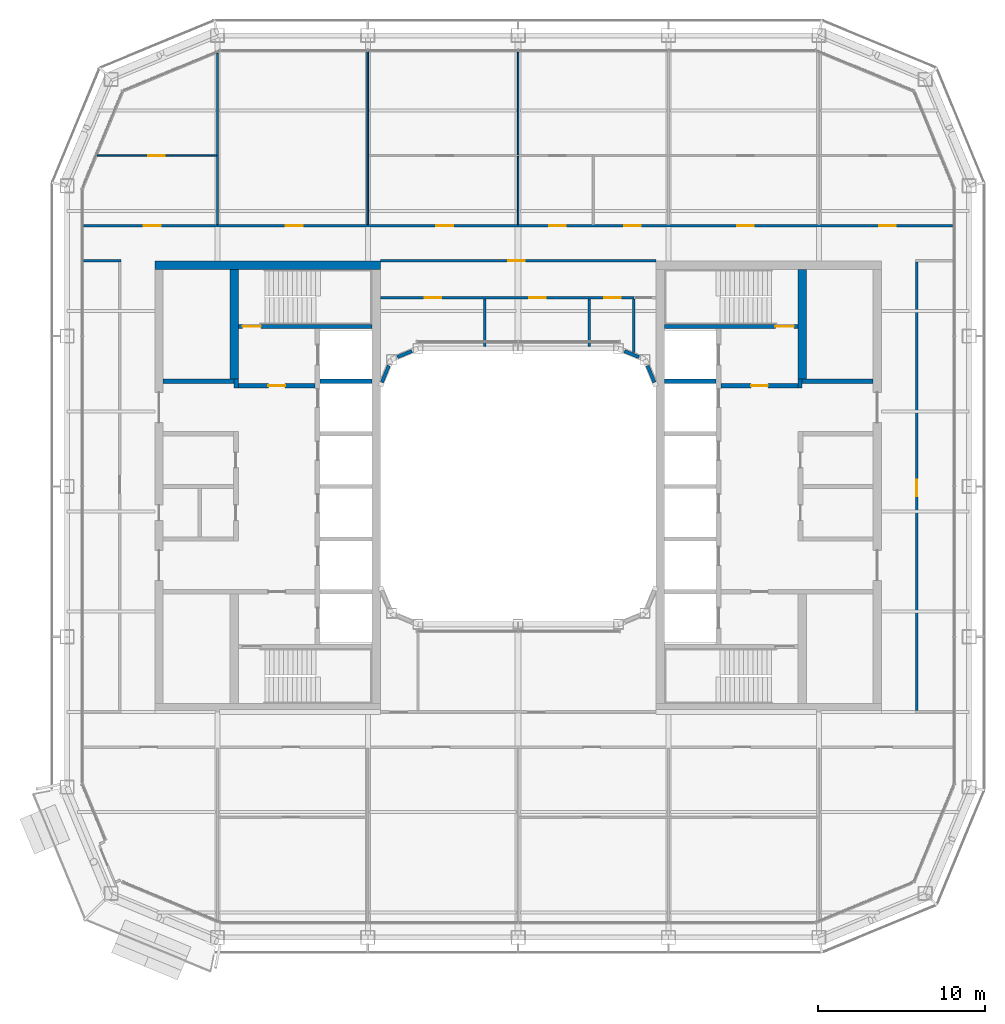
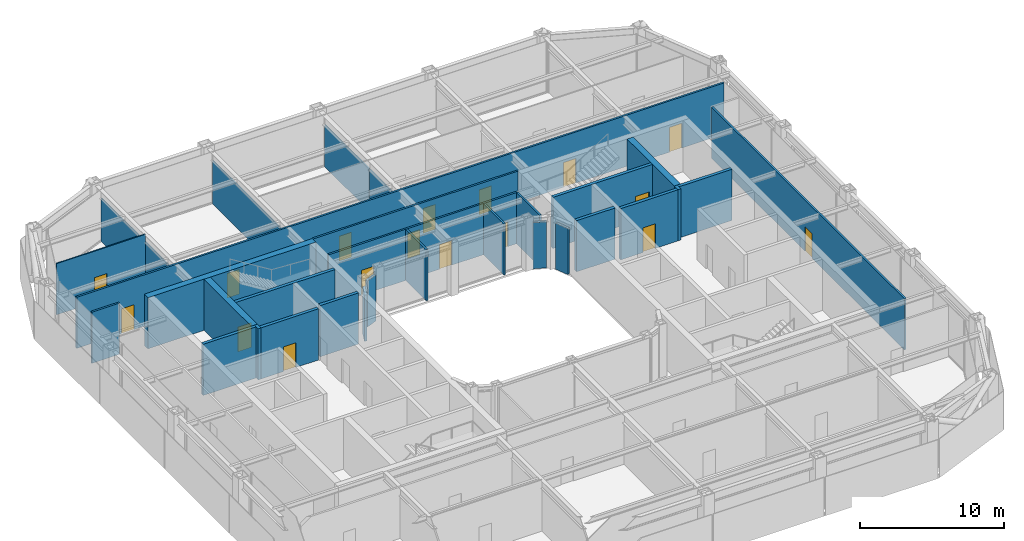
# One storey, part 15 of 23: 30 walls, 17 doors, 17 openings.
"""IFC4 building model written with IfcOpenShell, lengths in metres."""

from ifc_helpers import new_model, si_unit, direction, frame, frame_2d, origin, place, context, subcontext, project, spatial, rectangle, extrude, material, layer, layer_set, type_object, element, fill, save


model = new_model("IFC4")

# Units and contexts
model_context = context("Model", 3, precision=1e-05, world=origin(), true_north=direction((0.0, 1.0)))
body_context = subcontext(model_context, "Body", "Model", "MODEL_VIEW")
ifc_project = project(units=[si_unit("LENGTHUNIT", "METRE"), si_unit("AREAUNIT", "SQUARE_METRE"), si_unit("VOLUMEUNIT", "CUBIC_METRE"), si_unit("PLANEANGLEUNIT", "RADIAN"), si_unit("MASSUNIT", "GRAM", prefix="KILO")], contexts=[model_context])

# Site, building, storey
site_placement = place(None, origin())
site = spatial("IfcSite", under=ifc_project, at=site_placement, CompositionType="ELEMENT")
building_placement = place(site_placement, origin())
building = spatial("IfcBuilding", under=site, at=building_placement, Name="Siwar Civic Tower", CompositionType="ELEMENT")
storey_placement = place(building_placement, frame((0.0, 0.0, 197.199951171875)))
storey = spatial("IfcBuildingStorey", under=building, at=storey_placement, Name="L42", CompositionType="ELEMENT", Elevation=197.199951171875)

# Wall
ifc_material_1 = material(Name="Gypsum board on steel studs", Category="steel")
ifc_layer_1 = layer(ifc_material_1, 0.14990234375)
ifc_layer_set_1 = layer_set([ifc_layer_1], Name="Gypsum board on steel studs")
wall_type_1 = type_object("IfcWallType", Name="COMPARTMENT PARTITION 150 EI 60", PredefinedType="PARTITIONING", material=ifc_layer_set_1)
wall_1_placement = place(storey_placement, frame((6.919921875, 8.029052734375, 0.0), z_axis=(0.0, 0.0, 1.0), x_axis=(0.0, 1.0, 0.0)))
element("IfcWall", 1, at=wall_1_placement, inside=storey, type_object=wall_type_1, Name="L42/wall/P27", PredefinedType="PARTITIONING", context=body_context, shape_type="SweptSolid", body=[
    extrude(rectangle(XDim=3.196044921875, YDim=0.14990234375, at=frame_2d((1.59814453125, 0.0))), origin(), (0.0, 0.0, 1.0), 4.35009765625),
])

# Wall, opening, door
ifc_material_2 = material(Name="Concrete C60/75", Category="concrete")
ifc_layer_2 = layer(ifc_material_2, 0.25)
ifc_layer_set_2 = layer_set([ifc_layer_2], Name="Concrete C60/75")
wall_type_2 = type_object("IfcWallType", Name="CORE-WALL-RC250", PredefinedType="SHEAR", material=ifc_layer_set_2)
wall_2_placement = place(storey_placement, frame((-12.14990234375, 6.02490234375, 0.0), z_axis=(0.0, 0.0, 1.0), x_axis=(-1.0, 0.0, 0.0)))
wall_2 = element("IfcWall", 2, at=wall_2_placement, inside=storey, type_object=wall_type_2, Name="Core wall W", PredefinedType="SHEAR", context=body_context, shape_type="SweptSolid", body=[
    extrude(rectangle(XDim=4.60009765625, YDim=0.25, at=frame_2d((2.300048828125, 0.0))), origin(), (0.0, 0.0, 1.0), 4.35009765625),
])
opening_1_placement = place(wall_2_placement, frame((1.800048828125, 0.0, 0.0)))
opening_1 = element("IfcOpeningElement", 3, at=opening_1_placement, cuts=wall_2, Name="Opening L42-CW01", PredefinedType="OPENING", context=body_context, shape_type="SweptSolid", body=[
    extrude(rectangle(XDim=1.0, YDim=2.10009765625, at=frame_2d((0.5, 1.050048828125))), frame((0.0, 0.135009765625, 0.0), z_axis=(0.0, -1.0, 0.0), x_axis=(1.0, 0.0, 0.0)), (0.0, 0.0, 1.0), 0.27001953125),
])
ifc_material_3 = material(Name="Steel door leaf", Category="steel")
door_type_1 = type_object("IfcDoorType", Name="CORE-DOOR-FD30S", OperationType="SINGLE_SWING_LEFT", PredefinedType="DOOR", material=ifc_material_3)
door_1_placement = place(opening_1_placement, origin())
door_1 = element("IfcDoor", 4, at=door_1_placement, inside=storey, type_object=door_type_1, Name="Firefighting lobby door L42-CW01", OperationType="SINGLE_SWING_LEFT", OverallHeight=2.10009765625, OverallWidth=1.0, PredefinedType="DOOR", context=body_context, shape_type="SweptSolid", body=[
    extrude(rectangle(XDim=1.0, YDim=2.10009765625, at=frame_2d((0.5, 1.050048828125))), frame((0.0, 0.02490234375, 0.0), z_axis=(0.0, -1.0, 0.0), x_axis=(1.0, 0.0, 0.0)), (0.0, 0.0, 1.0), 0.050048828125),
])
fill(opening_1, door_1)

# Walls
wall_3_placement = place(storey_placement, frame((-16.875, 5.89990234375, 0.0), z_axis=(0.0, 0.0, 1.0), x_axis=(0.0, 1.0, 0.0)))
element("IfcWall", 5, at=wall_3_placement, inside=storey, type_object=wall_type_2, Name="Core wall W", PredefinedType="SHEAR", context=body_context, shape_type="SweptSolid", body=[
    extrude(rectangle(XDim=0.525146484375, YDim=0.25, at=frame_2d((0.2626953125, 0.0))), origin(), (0.0, 0.0, 1.0), 4.35009765625),
])
wall_4_placement = place(storey_placement, frame((-17.0, 6.300048828125, 0.0), z_axis=(0.0, 0.0, 1.0), x_axis=(-1.0, 0.0, 0.0)))
element("IfcWall", 6, at=wall_4_placement, inside=storey, type_object=wall_type_2, Name="Core wall W", PredefinedType="SHEAR", context=body_context, shape_type="SweptSolid", body=[
    extrude(rectangle(XDim=4.25, YDim=0.25, at=frame_2d((2.125, 0.0))), origin(), (0.0, 0.0, 1.0), 4.35009765625),
])
wall_5_placement = place(storey_placement, frame((-8.75, 6.300048828125, 0.0), z_axis=(0.0, 0.0, 1.0), x_axis=(-1.0, 0.0, 0.0)))
element("IfcWall", 7, at=wall_5_placement, inside=storey, type_object=wall_type_2, Name="Core wall W", PredefinedType="SHEAR", context=body_context, shape_type="SweptSolid", body=[
    extrude(rectangle(XDim=3.10009765625, YDim=0.25, at=frame_2d((1.550048828125, 0.0))), origin(), (0.0, 0.0, 1.0), 4.35009765625),
])

# Wall, opening, door
wall_6_placement = place(storey_placement, frame((-8.75, 9.574951171875, 0.0), z_axis=(0.0, 0.0, 1.0), x_axis=(-1.0, 0.0, 0.0)))
wall_6 = element("IfcWall", 8, at=wall_6_placement, inside=storey, type_object=wall_type_2, Name="Core wall W", PredefinedType="SHEAR", context=body_context, shape_type="SweptSolid", body=[
    extrude(rectangle(XDim=8.0, YDim=0.25, at=frame_2d((4.0, 0.0))), origin(), (0.0, 0.0, 1.0), 4.35009765625),
])
opening_2_placement = place(wall_6_placement, frame((6.64990234375, 0.0, 0.0)))
opening_2 = element("IfcOpeningElement", 9, at=opening_2_placement, cuts=wall_6, Name="Opening L42-CW03", PredefinedType="OPENING", context=body_context, shape_type="SweptSolid", body=[
    extrude(rectangle(XDim=1.10009765625, YDim=2.10009765625, at=frame_2d((0.550048828125, 1.050048828125))), frame((0.0, 0.135009765625, 0.0), z_axis=(0.0, -1.0, 0.0), x_axis=(1.0, 0.0, 0.0)), (0.0, 0.0, 1.0), 0.27001953125),
])
ifc_material_4 = material(Name="Steel door leaf", Category="steel")
door_type_2 = type_object("IfcDoorType", Name="CORE-DOOR-FD60S", OperationType="SINGLE_SWING_LEFT", PredefinedType="DOOR", material=ifc_material_4)
door_2_placement = place(opening_2_placement, origin())
door_2 = element("IfcDoor", 10, at=door_2_placement, inside=storey, type_object=door_type_2, Name="Stair door L42-CW03", OperationType="SINGLE_SWING_RIGHT", OverallHeight=2.10009765625, OverallWidth=1.10009765625, PredefinedType="DOOR", context=body_context, shape_type="SweptSolid", body=[
    extrude(rectangle(XDim=1.10009765625, YDim=2.10009765625, at=frame_2d((0.550048828125, 1.050048828125))), frame((0.0, 0.02490234375, 0.0), z_axis=(0.0, -1.0, 0.0), x_axis=(1.0, 0.0, 0.0)), (0.0, 0.0, 1.0), 0.050048828125),
])
fill(opening_2, door_2)

wall_7_placement = place(storey_placement, frame((12.14990234375, 6.02490234375, 0.0), z_axis=(0.0, 0.0, 1.0), x_axis=(1.0, 0.0, 0.0)))
wall_7 = element("IfcWall", 11, at=wall_7_placement, inside=storey, type_object=wall_type_2, Name="Core wall E", PredefinedType="SHEAR", context=body_context, shape_type="SweptSolid", body=[
    extrude(rectangle(XDim=4.60009765625, YDim=0.25, at=frame_2d((2.300048828125, 0.0))), origin(), (0.0, 0.0, 1.0), 4.35009765625),
])
opening_3_placement = place(wall_7_placement, frame((1.800048828125, 0.0, 0.0)))
opening_3 = element("IfcOpeningElement", 12, at=opening_3_placement, cuts=wall_7, Name="Opening L42-CE01", PredefinedType="OPENING", context=body_context, shape_type="SweptSolid", body=[
    extrude(rectangle(XDim=1.0, YDim=2.10009765625, at=frame_2d((0.5, 1.050048828125))), frame((0.0, 0.135009765625, 0.0), z_axis=(0.0, -1.0, 0.0), x_axis=(1.0, 0.0, 0.0)), (0.0, 0.0, 1.0), 0.27001953125),
])
door_3_placement = place(opening_3_placement, origin())
door_3 = element("IfcDoor", 13, at=door_3_placement, inside=storey, type_object=door_type_1, Name="Firefighting lobby door L42-CE01", OperationType="SINGLE_SWING_RIGHT", OverallHeight=2.10009765625, OverallWidth=1.0, PredefinedType="DOOR", context=body_context, shape_type="SweptSolid", body=[
    extrude(rectangle(XDim=1.0, YDim=2.10009765625, at=frame_2d((0.5, 1.050048828125))), frame((0.0, 0.02490234375, 0.0), z_axis=(0.0, -1.0, 0.0), x_axis=(1.0, 0.0, 0.0)), (0.0, 0.0, 1.0), 0.050048828125),
])
fill(opening_3, door_3)

# Walls
wall_8_placement = place(storey_placement, frame((16.875, 5.89990234375, 0.0), z_axis=(0.0, 0.0, 1.0), x_axis=(0.0, 1.0, 0.0)))
element("IfcWall", 14, at=wall_8_placement, inside=storey, type_object=wall_type_2, Name="Core wall E", PredefinedType="SHEAR", context=body_context, shape_type="SweptSolid", body=[
    extrude(rectangle(XDim=0.525146484375, YDim=0.25, at=frame_2d((0.2626953125, 0.0))), origin(), (0.0, 0.0, 1.0), 4.35009765625),
])
wall_9_placement = place(storey_placement, frame((17.0, 6.300048828125, 0.0), z_axis=(0.0, 0.0, 1.0), x_axis=(1.0, 0.0, 0.0)))
element("IfcWall", 15, at=wall_9_placement, inside=storey, type_object=wall_type_2, Name="Core wall E", PredefinedType="SHEAR", context=body_context, shape_type="SweptSolid", body=[
    extrude(rectangle(XDim=4.25, YDim=0.25, at=frame_2d((2.125, 0.0))), origin(), (0.0, 0.0, 1.0), 4.35009765625),
])
wall_10_placement = place(storey_placement, frame((8.75, 6.300048828125, 0.0), z_axis=(0.0, 0.0, 1.0), x_axis=(1.0, 0.0, 0.0)))
element("IfcWall", 16, at=wall_10_placement, inside=storey, type_object=wall_type_2, Name="Core wall E", PredefinedType="SHEAR", context=body_context, shape_type="SweptSolid", body=[
    extrude(rectangle(XDim=3.10009765625, YDim=0.25, at=frame_2d((1.550048828125, 0.0))), origin(), (0.0, 0.0, 1.0), 4.35009765625),
])

# Wall, opening, door
wall_11_placement = place(storey_placement, frame((8.75, 9.574951171875, 0.0), z_axis=(0.0, 0.0, 1.0), x_axis=(1.0, 0.0, 0.0)))
wall_11 = element("IfcWall", 17, at=wall_11_placement, inside=storey, type_object=wall_type_2, Name="Core wall E", PredefinedType="SHEAR", context=body_context, shape_type="SweptSolid", body=[
    extrude(rectangle(XDim=8.0, YDim=0.25, at=frame_2d((4.0, 0.0))), origin(), (0.0, 0.0, 1.0), 4.35009765625),
])
opening_4_placement = place(wall_11_placement, frame((6.64990234375, 0.0, 0.0)))
opening_4 = element("IfcOpeningElement", 18, at=opening_4_placement, cuts=wall_11, Name="Opening L42-CE03", PredefinedType="OPENING", context=body_context, shape_type="SweptSolid", body=[
    extrude(rectangle(XDim=1.10009765625, YDim=2.10009765625, at=frame_2d((0.550048828125, 1.050048828125))), frame((0.0, 0.135009765625, 0.0), z_axis=(0.0, -1.0, 0.0), x_axis=(1.0, 0.0, 0.0)), (0.0, 0.0, 1.0), 0.27001953125),
])
door_4_placement = place(opening_4_placement, origin())
door_4 = element("IfcDoor", 19, at=door_4_placement, inside=storey, type_object=door_type_2, Name="Stair door L42-CE03", OperationType="SINGLE_SWING_LEFT", OverallHeight=2.10009765625, OverallWidth=1.10009765625, PredefinedType="DOOR", context=body_context, shape_type="SweptSolid", body=[
    extrude(rectangle(XDim=1.10009765625, YDim=2.10009765625, at=frame_2d((0.550048828125, 1.050048828125))), frame((0.0, 0.02490234375, 0.0), z_axis=(0.0, -1.0, 0.0), x_axis=(1.0, 0.0, 0.0)), (0.0, 0.0, 1.0), 0.050048828125),
])
fill(opening_4, door_4)

# Walls
ifc_material_5 = material(Name="Concrete C60/75", Category="concrete")
ifc_layer_3 = layer(ifc_material_5, 0.5)
ifc_layer_set_3 = layer_set([ifc_layer_3], Name="Concrete C60/75")
wall_type_3 = type_object("IfcWallType", Name="CORE-WALL-RC500", PredefinedType="SHEAR", material=ifc_layer_set_3)
wall_12_placement = place(storey_placement, frame((-17.0, 6.425048828125, 0.0), z_axis=(0.0, 0.0, 1.0), x_axis=(0.0, 1.0, 0.0)))
element("IfcWall", 20, at=wall_12_placement, inside=storey, type_object=wall_type_3, Name="Core wall W", PredefinedType="SHEAR", context=body_context, shape_type="SweptSolid", body=[
    extrude(rectangle(XDim=6.574951171875, YDim=0.5, at=frame_2d((3.28759765625, 0.0))), origin(), (0.0, 0.0, 1.0), 4.35009765625),
])
wall_13_placement = place(storey_placement, frame((-8.25, 13.25, 0.0), z_axis=(0.0, 0.0, 1.0), x_axis=(-1.0, 0.0, 0.0)))
element("IfcWall", 21, at=wall_13_placement, inside=storey, type_object=wall_type_3, Name="Core wall W", PredefinedType="SHEAR", context=body_context, shape_type="SweptSolid", body=[
    extrude(rectangle(XDim=13.5, YDim=0.5, at=frame_2d((6.75, 0.0))), origin(), (0.0, 0.0, 1.0), 4.35009765625),
])
wall_14_placement = place(storey_placement, frame((17.0, 6.425048828125, 0.0), z_axis=(0.0, 0.0, 1.0), x_axis=(0.0, 1.0, 0.0)))
element("IfcWall", 22, at=wall_14_placement, inside=storey, type_object=wall_type_3, Name="Core wall E", PredefinedType="SHEAR", context=body_context, shape_type="SweptSolid", body=[
    extrude(rectangle(XDim=6.574951171875, YDim=0.5, at=frame_2d((3.28759765625, 0.0))), origin(), (0.0, 0.0, 1.0), 4.35009765625),
])

# Wall, openings, doors
ifc_material_6 = material(Name="Gypsum board on steel studs", Category="steel")
ifc_layer_4 = layer(ifc_material_6, 0.14990234375)
ifc_layer_set_4 = layer_set([ifc_layer_4], Name="Gypsum board on steel studs")
wall_type_4 = type_object("IfcWallType", Name="CORRIDOR PARTITION 150 EI 30", PredefinedType="PARTITIONING", material=ifc_layer_set_4)
wall_15_placement = place(storey_placement, frame((-8.25, 11.300048828125, 0.0), z_axis=(0.0, 0.0, 1.0), x_axis=(1.0, 0.0, 0.0)))
wall_15 = element("IfcWall", 23, at=wall_15_placement, inside=storey, type_object=wall_type_4, Name="L42/wall/P07", PredefinedType="PARTITIONING", context=body_context, shape_type="SweptSolid", body=[
    extrude(rectangle(XDim=15.169921875, YDim=0.14990234375, at=frame_2d((7.5849609375, 0.0))), origin(), (0.0, 0.0, 1.0), 4.35009765625),
])
opening_5_placement = place(wall_15_placement, frame((2.64990234375, 0.0, 0.0)))
opening_5 = element("IfcOpeningElement", 24, at=opening_5_placement, cuts=wall_15, Name="Opening D3", PredefinedType="OPENING", context=body_context, shape_type="SweptSolid", body=[
    extrude(rectangle(XDim=1.0, YDim=2.10009765625, at=frame_2d((0.5, 1.050048828125))), frame((0.0, 0.0849609375, 0.0), z_axis=(0.0, -1.0, 0.0), x_axis=(1.0, 0.0, 0.0)), (0.0, 0.0, 1.0), 0.169921875),
])
opening_6_placement = place(wall_15_placement, frame((8.89990234375, 0.0, 0.0)))
opening_6 = element("IfcOpeningElement", 25, at=opening_6_placement, cuts=wall_15, Name="Opening D3", PredefinedType="OPENING", context=body_context, shape_type="SweptSolid", body=[
    extrude(rectangle(XDim=1.0, YDim=2.10009765625, at=frame_2d((0.5, 1.050048828125))), frame((0.0, 0.0849609375, 0.0), z_axis=(0.0, -1.0, 0.0), x_axis=(1.0, 0.0, 0.0)), (0.0, 0.0, 1.0), 0.169921875),
])
opening_7_placement = place(wall_15_placement, frame((13.39990234375, 0.0, 0.0)))
opening_7 = element("IfcOpeningElement", 26, at=opening_7_placement, cuts=wall_15, Name="Opening D3", PredefinedType="OPENING", context=body_context, shape_type="SweptSolid", body=[
    extrude(rectangle(XDim=1.0, YDim=2.10009765625, at=frame_2d((0.5, 1.050048828125))), frame((0.0, 0.0849609375, 0.0), z_axis=(0.0, -1.0, 0.0), x_axis=(1.0, 0.0, 0.0)), (0.0, 0.0, 1.0), 0.169921875),
])
ifc_material_7 = material(Name="Timber, painted", Category="wood")
door_type_3 = type_object("IfcDoorType", Name="DOOR 1000 X 2100 WC", OperationType="SINGLE_SWING_LEFT", PredefinedType="DOOR", material=ifc_material_7)
door_5_placement = place(opening_5_placement, origin())
door_5 = element("IfcDoor", 27, at=door_5_placement, inside=storey, type_object=door_type_3, Name="L42-D25", OperationType="SINGLE_SWING_LEFT", OverallHeight=2.10009765625, OverallWidth=1.0, PredefinedType="DOOR", context=body_context, shape_type="SweptSolid", body=[
    extrude(rectangle(XDim=1.0, YDim=2.10009765625, at=frame_2d((0.5, 1.050048828125))), frame((0.0, 0.02490234375, 0.0), z_axis=(0.0, -1.0, 0.0), x_axis=(1.0, 0.0, 0.0)), (0.0, 0.0, 1.0), 0.050048828125),
])
fill(opening_5, door_5)
door_6_placement = place(opening_6_placement, origin())
door_6 = element("IfcDoor", 28, at=door_6_placement, inside=storey, type_object=door_type_3, Name="L42-D26", OperationType="SINGLE_SWING_RIGHT", OverallHeight=2.10009765625, OverallWidth=1.0, PredefinedType="DOOR", context=body_context, shape_type="SweptSolid", body=[
    extrude(rectangle(XDim=1.0, YDim=2.10009765625, at=frame_2d((0.5, 1.050048828125))), frame((0.0, 0.02490234375, 0.0), z_axis=(0.0, -1.0, 0.0), x_axis=(1.0, 0.0, 0.0)), (0.0, 0.0, 1.0), 0.050048828125),
])
fill(opening_6, door_6)
door_7_placement = place(opening_7_placement, origin())
door_7 = element("IfcDoor", 29, at=door_7_placement, inside=storey, type_object=door_type_3, Name="L42-D27", OperationType="SINGLE_SWING_LEFT", OverallHeight=2.10009765625, OverallWidth=1.0, PredefinedType="DOOR", context=body_context, shape_type="SweptSolid", body=[
    extrude(rectangle(XDim=1.0, YDim=2.10009765625, at=frame_2d((0.5, 1.050048828125))), frame((0.0, 0.02490234375, 0.0), z_axis=(0.0, -1.0, 0.0), x_axis=(1.0, 0.0, 0.0)), (0.0, 0.0, 1.0), 0.050048828125),
])
fill(opening_7, door_7)

# Wall
wall_16_placement = place(storey_placement, frame((-26.010009765625, 13.5, 0.0), z_axis=(0.0, 0.0, 1.0), x_axis=(1.0, 0.0, 0.0)))
element("IfcWall", 30, at=wall_16_placement, inside=storey, type_object=wall_type_4, Name="L42/wall/P09", PredefinedType="PARTITIONING", context=body_context, shape_type="SweptSolid", body=[
    extrude(rectangle(XDim=2.235107421875, YDim=0.14990234375, at=frame_2d((1.11767578125, 0.0))), origin(), (0.0, 0.0, 1.0), 4.35009765625),
])

# Wall, opening, door
wall_17_placement = place(storey_placement, frame((-8.25, 13.5, 0.0), z_axis=(0.0, 0.0, 1.0), x_axis=(1.0, 0.0, 0.0)))
wall_17 = element("IfcWall", 31, at=wall_17_placement, inside=storey, type_object=wall_type_4, Name="L42/wall/P10", PredefinedType="PARTITIONING", context=body_context, shape_type="SweptSolid", body=[
    extrude(rectangle(XDim=16.5, YDim=0.14990234375, at=frame_2d((8.25, 0.0))), origin(), (0.0, 0.0, 1.0), 4.35009765625),
])
opening_8_placement = place(wall_17_placement, frame((7.64990234375, 0.0, 0.0)))
opening_8 = element("IfcOpeningElement", 32, at=opening_8_placement, cuts=wall_17, Name="Opening D1", PredefinedType="OPENING", context=body_context, shape_type="SweptSolid", body=[
    extrude(rectangle(XDim=1.0, YDim=2.10009765625, at=frame_2d((0.5, 1.050048828125))), frame((0.0, 0.0849609375, 0.0), z_axis=(0.0, -1.0, 0.0), x_axis=(1.0, 0.0, 0.0)), (0.0, 0.0, 1.0), 0.169921875),
])
ifc_material_8 = material(Name="Timber, painted", Category="wood")
door_type_4 = type_object("IfcDoorType", Name="DOOR 1000 X 2100 FD30", OperationType="SINGLE_SWING_LEFT", PredefinedType="DOOR", material=ifc_material_8)
door_8_placement = place(opening_8_placement, origin())
door_8 = element("IfcDoor", 33, at=door_8_placement, inside=storey, type_object=door_type_4, Name="L42-D24", OperationType="SINGLE_SWING_RIGHT", OverallHeight=2.10009765625, OverallWidth=1.0, PredefinedType="DOOR", context=body_context, shape_type="SweptSolid", body=[
    extrude(rectangle(XDim=1.0, YDim=2.10009765625, at=frame_2d((0.5, 1.050048828125))), frame((0.0, 0.02490234375, 0.0), z_axis=(0.0, -1.0, 0.0), x_axis=(1.0, 0.0, 0.0)), (0.0, 0.0, 1.0), 0.050048828125),
])
fill(opening_8, door_8)

# Wall, openings, doors
wall_18_placement = place(storey_placement, frame((-26.010009765625, 15.60009765625, 0.0), z_axis=(0.0, 0.0, 1.0), x_axis=(1.0, 0.0, 0.0)))
wall_18 = element("IfcWall", 34, at=wall_18_placement, inside=storey, type_object=wall_type_4, Name="L42/wall/P12", PredefinedType="PARTITIONING", context=body_context, shape_type="SweptSolid", body=[
    extrude(rectangle(XDim=52.02001953125, YDim=0.14990234375, at=frame_2d((26.010009765625, 0.0))), origin(), (0.0, 0.0, 1.0), 4.35009765625),
])
opening_9_placement = place(wall_18_placement, frame((12.110107421875, 0.0, 0.0)))
opening_9 = element("IfcOpeningElement", 35, at=opening_9_placement, cuts=wall_18, Name="Opening D1", PredefinedType="OPENING", context=body_context, shape_type="SweptSolid", body=[
    extrude(rectangle(XDim=1.0, YDim=2.10009765625, at=frame_2d((0.5, 1.050048828125))), frame((0.0, 0.0849609375, 0.0), z_axis=(0.0, -1.0, 0.0), x_axis=(1.0, 0.0, 0.0)), (0.0, 0.0, 1.0), 0.169921875),
])
opening_10_placement = place(wall_18_placement, frame((21.110107421875, 0.0, 0.0)))
opening_10 = element("IfcOpeningElement", 36, at=opening_10_placement, cuts=wall_18, Name="Opening D1", PredefinedType="OPENING", context=body_context, shape_type="SweptSolid", body=[
    extrude(rectangle(XDim=1.0, YDim=2.10009765625, at=frame_2d((0.5, 1.050048828125))), frame((0.0, 0.0849609375, 0.0), z_axis=(0.0, -1.0, 0.0), x_axis=(1.0, 0.0, 0.0)), (0.0, 0.0, 1.0), 0.169921875),
])
opening_11_placement = place(wall_18_placement, frame((27.860107421875, 0.0, 0.0)))
opening_11 = element("IfcOpeningElement", 37, at=opening_11_placement, cuts=wall_18, Name="Opening D1", PredefinedType="OPENING", context=body_context, shape_type="SweptSolid", body=[
    extrude(rectangle(XDim=1.0, YDim=2.10009765625, at=frame_2d((0.5, 1.050048828125))), frame((0.0, 0.0849609375, 0.0), z_axis=(0.0, -1.0, 0.0), x_axis=(1.0, 0.0, 0.0)), (0.0, 0.0, 1.0), 0.169921875),
])
opening_12_placement = place(wall_18_placement, frame((32.360107421875, 0.0, 0.0)))
opening_12 = element("IfcOpeningElement", 38, at=opening_12_placement, cuts=wall_18, Name="Opening D1", PredefinedType="OPENING", context=body_context, shape_type="SweptSolid", body=[
    extrude(rectangle(XDim=1.0, YDim=2.10009765625, at=frame_2d((0.5, 1.050048828125))), frame((0.0, 0.0849609375, 0.0), z_axis=(0.0, -1.0, 0.0), x_axis=(1.0, 0.0, 0.0)), (0.0, 0.0, 1.0), 0.169921875),
])
opening_13_placement = place(wall_18_placement, frame((39.110107421875, 0.0, 0.0)))
opening_13 = element("IfcOpeningElement", 39, at=opening_13_placement, cuts=wall_18, Name="Opening D1", PredefinedType="OPENING", context=body_context, shape_type="SweptSolid", body=[
    extrude(rectangle(XDim=1.0, YDim=2.10009765625, at=frame_2d((0.5, 1.050048828125))), frame((0.0, 0.0849609375, 0.0), z_axis=(0.0, -1.0, 0.0), x_axis=(1.0, 0.0, 0.0)), (0.0, 0.0, 1.0), 0.169921875),
])
opening_14_placement = place(wall_18_placement, frame((3.610107421875, 0.0, 0.0)))
opening_14 = element("IfcOpeningElement", 40, at=opening_14_placement, cuts=wall_18, Name="Opening D1", PredefinedType="OPENING", context=body_context, shape_type="SweptSolid", body=[
    extrude(rectangle(XDim=1.0, YDim=2.10009765625, at=frame_2d((0.5, 1.050048828125))), frame((0.0, 0.0849609375, 0.0), z_axis=(0.0, -1.0, 0.0), x_axis=(1.0, 0.0, 0.0)), (0.0, 0.0, 1.0), 0.169921875),
])
opening_15_placement = place(wall_18_placement, frame((47.6201171875, 0.0, 0.0)))
opening_15 = element("IfcOpeningElement", 41, at=opening_15_placement, cuts=wall_18, Name="Opening D1", PredefinedType="OPENING", context=body_context, shape_type="SweptSolid", body=[
    extrude(rectangle(XDim=1.0, YDim=2.10009765625, at=frame_2d((0.5, 1.050048828125))), frame((0.0, 0.0849609375, 0.0), z_axis=(0.0, -1.0, 0.0), x_axis=(1.0, 0.0, 0.0)), (0.0, 0.0, 1.0), 0.169921875),
])
door_9_placement = place(opening_9_placement, origin())
door_9 = element("IfcDoor", 42, at=door_9_placement, inside=storey, type_object=door_type_4, Name="L42-D01", OperationType="SINGLE_SWING_LEFT", OverallHeight=2.10009765625, OverallWidth=1.0, PredefinedType="DOOR", context=body_context, shape_type="SweptSolid", body=[
    extrude(rectangle(XDim=1.0, YDim=2.10009765625, at=frame_2d((0.5, 1.050048828125))), frame((0.0, 0.02490234375, 0.0), z_axis=(0.0, -1.0, 0.0), x_axis=(1.0, 0.0, 0.0)), (0.0, 0.0, 1.0), 0.050048828125),
])
fill(opening_9, door_9)
door_10_placement = place(opening_10_placement, origin())
door_10 = element("IfcDoor", 43, at=door_10_placement, inside=storey, type_object=door_type_4, Name="L42-D02", OperationType="SINGLE_SWING_RIGHT", OverallHeight=2.10009765625, OverallWidth=1.0, PredefinedType="DOOR", context=body_context, shape_type="SweptSolid", body=[
    extrude(rectangle(XDim=1.0, YDim=2.10009765625, at=frame_2d((0.5, 1.050048828125))), frame((0.0, 0.02490234375, 0.0), z_axis=(0.0, -1.0, 0.0), x_axis=(1.0, 0.0, 0.0)), (0.0, 0.0, 1.0), 0.050048828125),
])
fill(opening_10, door_10)
door_11_placement = place(opening_11_placement, origin())
door_11 = element("IfcDoor", 44, at=door_11_placement, inside=storey, type_object=door_type_4, Name="L42-D04", OperationType="SINGLE_SWING_RIGHT", OverallHeight=2.10009765625, OverallWidth=1.0, PredefinedType="DOOR", context=body_context, shape_type="SweptSolid", body=[
    extrude(rectangle(XDim=1.0, YDim=2.10009765625, at=frame_2d((0.5, 1.050048828125))), frame((0.0, 0.02490234375, 0.0), z_axis=(0.0, -1.0, 0.0), x_axis=(1.0, 0.0, 0.0)), (0.0, 0.0, 1.0), 0.050048828125),
])
fill(opening_11, door_11)
door_12_placement = place(opening_12_placement, origin())
door_12 = element("IfcDoor", 45, at=door_12_placement, inside=storey, type_object=door_type_4, Name="L42-D05", OperationType="SINGLE_SWING_LEFT", OverallHeight=2.10009765625, OverallWidth=1.0, PredefinedType="DOOR", context=body_context, shape_type="SweptSolid", body=[
    extrude(rectangle(XDim=1.0, YDim=2.10009765625, at=frame_2d((0.5, 1.050048828125))), frame((0.0, 0.02490234375, 0.0), z_axis=(0.0, -1.0, 0.0), x_axis=(1.0, 0.0, 0.0)), (0.0, 0.0, 1.0), 0.050048828125),
])
fill(opening_12, door_12)
door_13_placement = place(opening_13_placement, origin())
door_13 = element("IfcDoor", 46, at=door_13_placement, inside=storey, type_object=door_type_4, Name="L42-D07", OperationType="SINGLE_SWING_LEFT", OverallHeight=2.10009765625, OverallWidth=1.0, PredefinedType="DOOR", context=body_context, shape_type="SweptSolid", body=[
    extrude(rectangle(XDim=1.0, YDim=2.10009765625, at=frame_2d((0.5, 1.050048828125))), frame((0.0, 0.02490234375, 0.0), z_axis=(0.0, -1.0, 0.0), x_axis=(1.0, 0.0, 0.0)), (0.0, 0.0, 1.0), 0.050048828125),
])
fill(opening_13, door_13)
door_14_placement = place(opening_14_placement, origin())
door_14 = element("IfcDoor", 47, at=door_14_placement, inside=storey, type_object=door_type_4, Name="L42-D16", OperationType="SINGLE_SWING_RIGHT", OverallHeight=2.10009765625, OverallWidth=1.0, PredefinedType="DOOR", context=body_context, shape_type="SweptSolid", body=[
    extrude(rectangle(XDim=1.0, YDim=2.10009765625, at=frame_2d((0.5, 1.050048828125))), frame((0.0, 0.02490234375, 0.0), z_axis=(0.0, -1.0, 0.0), x_axis=(1.0, 0.0, 0.0)), (0.0, 0.0, 1.0), 0.050048828125),
])
fill(opening_14, door_14)
door_15_placement = place(opening_15_placement, origin())
door_15 = element("IfcDoor", 48, at=door_15_placement, inside=storey, type_object=door_type_4, Name="L42-D18", OperationType="SINGLE_SWING_RIGHT", OverallHeight=2.10009765625, OverallWidth=1.0, PredefinedType="DOOR", context=body_context, shape_type="SweptSolid", body=[
    extrude(rectangle(XDim=1.0, YDim=2.10009765625, at=frame_2d((0.5, 1.050048828125))), frame((0.0, 0.02490234375, 0.0), z_axis=(0.0, -1.0, 0.0), x_axis=(1.0, 0.0, 0.0)), (0.0, 0.0, 1.0), 0.050048828125),
])
fill(opening_15, door_15)

# Walls
for number, where, z_axis, x_axis, name in (
    (49, (-2.0, 8.3701171875, 0.0), (0.0, 0.0, 1.0), (0.0, 1.0, 0.0), "L42/wall/P21"),
    (50, (4.25, 8.3701171875, 0.0), (0.0, 0.0, 1.0), (0.0, 1.0, 0.0), "L42/wall/P25"),
):
    element("IfcWall", number, at=place(storey_placement, frame(where, z_axis=z_axis, x_axis=x_axis)), inside=storey, type_object=wall_type_4, Name=name, PredefinedType="PARTITIONING", context=body_context, shape_type="SweptSolid", body=[
        extrude(rectangle(XDim=2.85498046875, YDim=0.14990234375, at=frame_2d((1.427490234375, 0.0))), origin(), (0.0, 0.0, 1.0), 4.35009765625),
    ])

# Wall, opening, door
wall_19_placement = place(storey_placement, frame((23.85009765625, -13.425048828125, 0.0), z_axis=(0.0, 0.0, 1.0), x_axis=(0.0, 1.0, 0.0)))
wall_19 = element("IfcWall", 51, at=wall_19_placement, inside=storey, type_object=wall_type_4, Name="L42/wall/P35", PredefinedType="PARTITIONING", context=body_context, shape_type="SweptSolid", body=[
    extrude(rectangle(XDim=26.85009765625, YDim=0.14990234375, at=frame_2d((13.425048828125, 0.0))), origin(), (0.0, 0.0, 1.0), 4.35009765625),
])
opening_16_placement = place(wall_19_placement, frame((12.824951171875, 0.0, 0.0)))
opening_16 = element("IfcOpeningElement", 52, at=opening_16_placement, cuts=wall_19, Name="Opening D1", PredefinedType="OPENING", context=body_context, shape_type="SweptSolid", body=[
    extrude(rectangle(XDim=1.0, YDim=2.10009765625, at=frame_2d((0.5, 1.050048828125))), frame((0.0, 0.0849609375, 0.0), z_axis=(0.0, -1.0, 0.0), x_axis=(1.0, 0.0, 0.0)), (0.0, 0.0, 1.0), 0.169921875),
])
door_16_placement = place(opening_16_placement, origin())
door_16 = element("IfcDoor", 53, at=door_16_placement, inside=storey, type_object=door_type_4, Name="L42-D23", OperationType="SINGLE_SWING_LEFT", OverallHeight=2.10009765625, OverallWidth=1.0, PredefinedType="DOOR", context=body_context, shape_type="SweptSolid", body=[
    extrude(rectangle(XDim=1.0, YDim=2.10009765625, at=frame_2d((0.5, 1.050048828125))), frame((0.0, 0.02490234375, 0.0), z_axis=(0.0, -1.0, 0.0), x_axis=(1.0, 0.0, 0.0)), (0.0, 0.0, 1.0), 0.050048828125),
])
fill(opening_16, door_16)

# Walls
ifc_material_9 = material(Name="Aluminium clad insulated panel", Category="aluminium")
ifc_layer_5 = layer(ifc_material_9, 0.199951171875)
ifc_layer_set_5 = layer_set([ifc_layer_5], Name="Aluminium clad insulated panel")
wall_type_5 = type_object("IfcWallType", Name="ENV-WALL-WELL", PredefinedType="STANDARD", material=ifc_layer_set_5)
wall_20_placement = place(storey_placement, frame((8.154296875, 6.23095703125, 0.0), z_axis=(0.0, 0.0, 1.0), x_axis=(-0.382704496366, 0.923870807235, 0.0)))
element("IfcWall", 54, at=wall_20_placement, inside=storey, type_object=wall_type_5, Name="Light well corner wall NE1", PredefinedType="STANDARD", context=body_context, shape_type="SweptSolid", body=[
    extrude(rectangle(XDim=1.080078125, YDim=0.199951171875, at=frame_2d((0.5400390625, 0.0))), origin(), (0.0, 0.0, 1.0), 3.91796875),
])
for number, where, z_axis, x_axis, name in (
    (55, (7.228759765625, 7.740966796875, 0.0), (0.0, 0.0, 1.0), (-0.923829670615, 0.382803787458, 0.0), "Light well corner wall NE2"),
    (56, (-6.362060546875, 8.10009765625, 0.0), (0.0, 0.0, 1.0), (-0.923829670615, -0.382803787458, 0.0), "Light well corner wall NW1"),
):
    element("IfcWall", number, at=place(storey_placement, frame(where, z_axis=z_axis, x_axis=x_axis)), inside=storey, type_object=wall_type_5, Name=name, PredefinedType="STANDARD", context=body_context, shape_type="SweptSolid", body=[
        extrude(rectangle(XDim=0.938232421875, YDim=0.199951171875, at=frame_2d((0.46923828125, 0.0))), origin(), (0.0, 0.0, 1.0), 3.91796875),
    ])
wall_21_placement = place(storey_placement, frame((-7.740966796875, 7.228759765625, 0.0), z_axis=(0.0, 0.0, 1.0), x_axis=(-0.382704496366, -0.923870807235, 0.0)))
element("IfcWall", 57, at=wall_21_placement, inside=storey, type_object=wall_type_5, Name="Light well corner wall NW2", PredefinedType="STANDARD", context=body_context, shape_type="SweptSolid", body=[
    extrude(rectangle(XDim=1.080078125, YDim=0.199951171875, at=frame_2d((0.5400390625, 0.0))), origin(), (0.0, 0.0, 1.0), 3.91796875),
])

# Wall, opening, door
ifc_material_10 = material(Name="Gypsum board on steel studs", Category="steel")
ifc_layer_6 = layer(ifc_material_10, 0.10009765625)
ifc_layer_set_6 = layer_set([ifc_layer_6], Name="Gypsum board on steel studs")
wall_type_6 = type_object("IfcWallType", Name="PARTITION 100 GYPSUM", PredefinedType="PARTITIONING", material=ifc_layer_set_6)
wall_22_placement = place(storey_placement, frame((-25.18310546875, 19.800048828125, 0.0), z_axis=(0.0, 0.0, 1.0), x_axis=(1.0, 0.0, 0.0)))
wall_22 = element("IfcWall", 58, at=wall_22_placement, inside=storey, type_object=wall_type_6, Name="L42/wall/P13", PredefinedType="PARTITIONING", context=body_context, shape_type="SweptSolid", body=[
    extrude(rectangle(XDim=7.133056640625, YDim=0.10009765625, at=frame_2d((3.56640625, 0.0))), origin(), (0.0, 0.0, 1.0), 4.35009765625),
])
opening_17_placement = place(wall_22_placement, frame((3.032958984375, 0.0, 0.0)))
opening_17 = element("IfcOpeningElement", 59, at=opening_17_placement, cuts=wall_22, Name="Opening D2", PredefinedType="OPENING", context=body_context, shape_type="SweptSolid", body=[
    extrude(rectangle(XDim=1.0, YDim=2.10009765625, at=frame_2d((0.5, 1.050048828125))), frame((0.0, 0.06005859375, 0.0), z_axis=(0.0, -1.0, 0.0), x_axis=(1.0, 0.0, 0.0)), (0.0, 0.0, 1.0), 0.1201171875),
])
ifc_material_11 = material(Name="Timber, painted", Category="wood")
door_type_5 = type_object("IfcDoorType", Name="DOOR 1000 X 2100", OperationType="SINGLE_SWING_LEFT", PredefinedType="DOOR", material=ifc_material_11)
door_17_placement = place(opening_17_placement, origin())
door_17 = element("IfcDoor", 60, at=door_17_placement, inside=storey, type_object=door_type_5, Name="L42-D17", OperationType="SINGLE_SWING_LEFT", OverallHeight=2.10009765625, OverallWidth=1.0, PredefinedType="DOOR", context=body_context, shape_type="SweptSolid", body=[
    extrude(rectangle(XDim=1.0, YDim=2.10009765625, at=frame_2d((0.5, 1.050048828125))), frame((0.0, 0.02490234375, 0.0), z_axis=(0.0, -1.0, 0.0), x_axis=(1.0, 0.0, 0.0)), (0.0, 0.0, 1.0), 0.050048828125),
])
fill(opening_17, door_17)

# Walls
wall_23_placement = place(storey_placement, frame((-18.0, 15.675048828125, 0.0), z_axis=(0.0, 0.0, 1.0), x_axis=(0.0, 1.0, 0.0)))
element("IfcWall", 61, at=wall_23_placement, inside=storey, type_object=wall_type_6, Name="L42/wall/P17", PredefinedType="PARTITIONING", context=body_context, shape_type="SweptSolid", body=[
    extrude(rectangle(XDim=10.2529296875, YDim=0.10009765625, at=frame_2d((5.12646484375, 0.0))), origin(), (0.0, 0.0, 1.0), 3.650146484375),
])
wall_24_placement = place(storey_placement, frame((-9.0, 15.675048828125, 0.0), z_axis=(0.0, 0.0, 1.0), x_axis=(0.0, 1.0, 0.0)))
element("IfcWall", 62, at=wall_24_placement, inside=storey, type_object=wall_type_6, Name="L42/wall/P19", PredefinedType="PARTITIONING", context=body_context, shape_type="SweptSolid", body=[
    extrude(rectangle(XDim=10.3349609375, YDim=0.10009765625, at=frame_2d((5.16748046875, 0.0))), origin(), (0.0, 0.0, 1.0), 3.650146484375),
])
wall_25_placement = place(storey_placement, frame((0.0, 15.675048828125, 0.0), z_axis=(0.0, 0.0, 1.0), x_axis=(0.0, 1.0, 0.0)))
element("IfcWall", 63, at=wall_25_placement, inside=storey, type_object=wall_type_6, Name="L42/wall/P23", PredefinedType="PARTITIONING", context=body_context, shape_type="SweptSolid", body=[
    extrude(rectangle(XDim=4.074951171875, YDim=0.10009765625, at=frame_2d((2.03759765625, 0.0))), origin(), (0.0, 0.0, 1.0), 3.550048828125),
])
wall_26_placement = place(storey_placement, frame((0.0, 19.85009765625, 0.0), z_axis=(0.0, 0.0, 1.0), x_axis=(0.0, 1.0, 0.0)))
element("IfcWall", 64, at=wall_26_placement, inside=storey, type_object=wall_type_6, Name="L42/wall/P24", PredefinedType="PARTITIONING", context=body_context, shape_type="SweptSolid", body=[
    extrude(rectangle(XDim=6.159912109375, YDim=0.10009765625, at=frame_2d((3.080078125, 0.0))), origin(), (0.0, 0.0, 1.0), 3.550048828125),
])

save(model, "model.ifc")
